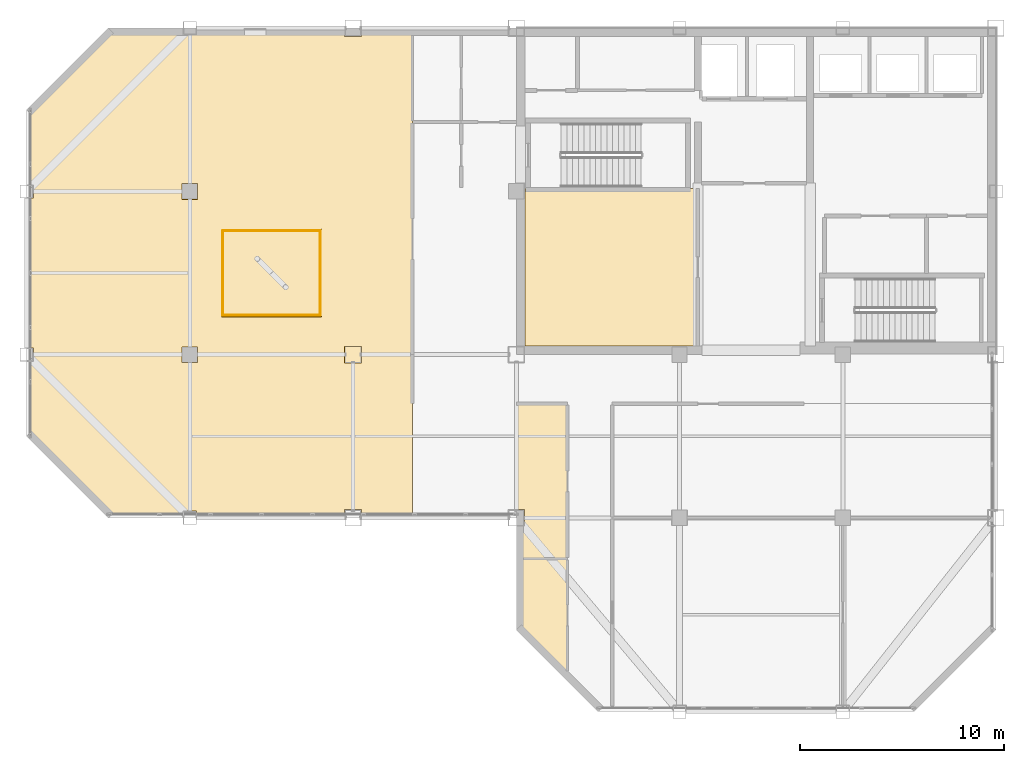
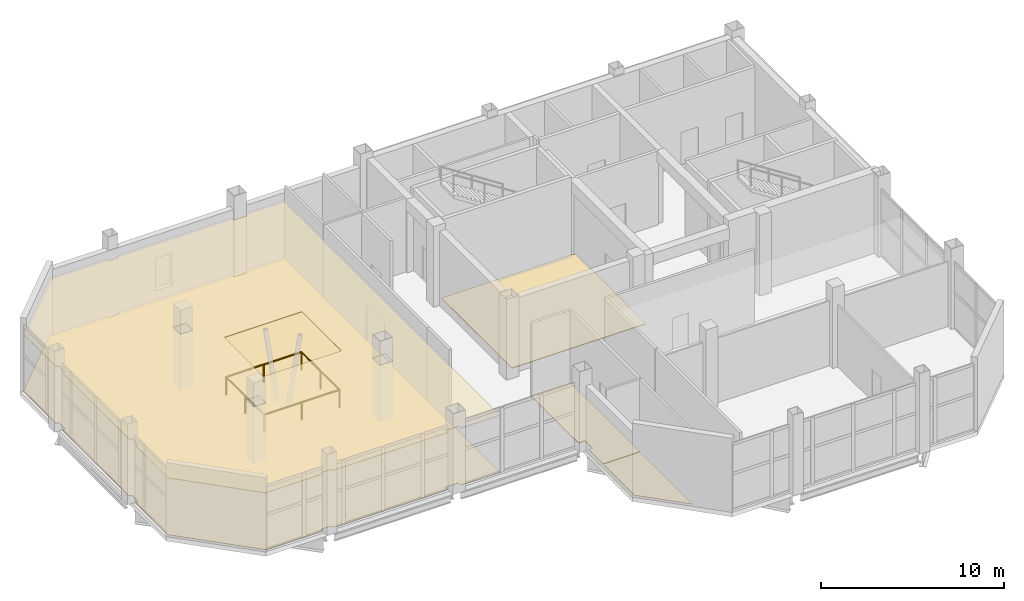
# One storey, part 14 of 16: 5 coverings, 4 railings.
"""IFC4 building model written with IfcOpenShell, lengths in metres."""

from ifc_helpers import new_model, si_unit, direction, frame, origin, origin_2d, place, context, subcontext, project, spatial, polyline, circle, outline, extrude, material, layer, layer_set, type_object, element, save


model = new_model("IFC4")

# Units and contexts
model_context = context("Model", 3, precision=1e-05, world=origin(), true_north=direction((0.0, 1.0)))
body_context = subcontext(model_context, "Body", "Model", "MODEL_VIEW")
ifc_project = project(units=[si_unit("LENGTHUNIT", "METRE"), si_unit("AREAUNIT", "SQUARE_METRE"), si_unit("VOLUMEUNIT", "CUBIC_METRE"), si_unit("PLANEANGLEUNIT", "RADIAN"), si_unit("MASSUNIT", "GRAM", prefix="KILO")], contexts=[model_context])

# Site, building, storey
site_placement = place(None, origin())
site = spatial("IfcSite", under=ifc_project, at=site_placement, CompositionType="ELEMENT")
building_placement = place(site_placement, origin())
building = spatial("IfcBuilding", under=site, at=building_placement, Name="Qianrong Seaharbour Tower", CompositionType="ELEMENT")
storey_placement = place(building_placement, frame((0.0, 0.0, 378.39990234375)))
storey = spatial("IfcBuildingStorey", under=building, at=storey_placement, Name="L91", CompositionType="ELEMENT", Elevation=378.39990234375)

# Coverings
ifc_material_1 = material(Name="Perforated acoustic gypsum ceiling board")
ifc_layer_1 = layer(ifc_material_1, 0.050048828125)
ifc_layer_set_1 = layer_set([ifc_layer_1], Name="Perforated acoustic gypsum ceiling board")
covering_type_1 = type_object("IfcCoveringType", Name="COV-CEIL-GYPSUM-50", PredefinedType="CEILING", material=ifc_layer_set_1)
covering_1_placement = place(storey_placement, frame((0.0, 0.0, 3.780029296875)))
element("IfcCovering", 1, at=covering_1_placement, inside=storey, type_object=covering_type_1, Name="L91 Observatory Gallery Acoustic Ceiling", PredefinedType="CEILING", context=body_context, shape_type="SweptSolid", body=[
    extrude(outline(polyline([(16.675048828125, 32.072509765625), (16.675048828125, 35.6650390625), (16.8349609375, 35.6650390625), (16.8349609375, 36.3349609375), (16.675048828125, 36.3349609375), (16.675048828125, 43.6650390625), (16.8349609375, 43.6650390625), (16.8349609375, 44.3349609375), (16.675048828125, 44.3349609375), (16.675048828125, 47.927490234375), (20.572509765625, 51.824951171875), (24.1650390625, 51.824951171875), (24.1650390625, 51.6650390625), (24.8349609375, 51.6650390625), (24.8349609375, 51.824951171875), (32.090087890625, 51.824951171875), (32.090087890625, 51.590087890625), (32.909912109375, 51.590087890625), (32.909912109375, 51.824951171875), (35.39990234375, 51.824951171875), (35.39990234375, 28.175048828125), (32.909912109375, 28.175048828125), (32.909912109375, 28.409912109375), (32.090087890625, 28.409912109375), (32.090087890625, 28.175048828125), (24.8349609375, 28.175048828125), (24.8349609375, 28.3349609375), (24.1650390625, 28.3349609375), (24.1650390625, 28.175048828125), (20.572509765625, 28.175048828125), (16.675048828125, 32.072509765625)]), holes=[polyline([(32.909912109375, 35.590087890625), (32.909912109375, 36.409912109375), (32.090087890625, 36.409912109375), (32.090087890625, 35.590087890625), (32.909912109375, 35.590087890625)]), polyline([(26.050048828125, 37.85009765625), (30.949951171875, 37.85009765625), (30.949951171875, 42.14990234375), (26.050048828125, 42.14990234375), (26.050048828125, 37.85009765625)]), polyline([(24.885009765625, 35.614990234375), (24.885009765625, 36.385009765625), (24.114990234375, 36.385009765625), (24.114990234375, 35.614990234375), (24.885009765625, 35.614990234375)]), polyline([(24.885009765625, 43.614990234375), (24.885009765625, 44.385009765625), (24.114990234375, 44.385009765625), (24.114990234375, 43.614990234375), (24.885009765625, 43.614990234375)])]), origin(), (0.0, 0.0, 1.0), 0.050048828125),
])
ifc_material_2 = material(Name="Acoustic modular carpet tile flooring")
ifc_layer_2 = layer(ifc_material_2, 0.02001953125)
ifc_layer_set_2 = layer_set([ifc_layer_2], Name="Acoustic modular carpet tile flooring")
covering_type_2 = type_object("IfcCoveringType", Name="COV-FLOOR-CARPET-20", PredefinedType="FLOORING", material=ifc_layer_set_2)
covering_2_placement = place(storey_placement, origin())
element("IfcCovering", 2, at=covering_2_placement, inside=storey, type_object=covering_type_2, Name="L91 Observatory Gallery Finish Flooring", PredefinedType="FLOORING", context=body_context, shape_type="SweptSolid", body=[
    extrude(outline(polyline([(16.675048828125, 32.072509765625), (16.675048828125, 35.6650390625), (16.8349609375, 35.6650390625), (16.8349609375, 36.3349609375), (16.675048828125, 36.3349609375), (16.675048828125, 43.6650390625), (16.8349609375, 43.6650390625), (16.8349609375, 44.3349609375), (16.675048828125, 44.3349609375), (16.675048828125, 47.927490234375), (20.572509765625, 51.824951171875), (24.1650390625, 51.824951171875), (24.1650390625, 51.6650390625), (24.8349609375, 51.6650390625), (24.8349609375, 51.824951171875), (32.090087890625, 51.824951171875), (32.090087890625, 51.590087890625), (32.909912109375, 51.590087890625), (32.909912109375, 51.824951171875), (35.39990234375, 51.824951171875), (35.39990234375, 28.175048828125), (32.909912109375, 28.175048828125), (32.909912109375, 28.409912109375), (32.090087890625, 28.409912109375), (32.090087890625, 28.175048828125), (24.8349609375, 28.175048828125), (24.8349609375, 28.3349609375), (24.1650390625, 28.3349609375), (24.1650390625, 28.175048828125), (20.572509765625, 28.175048828125), (16.675048828125, 32.072509765625)])), origin(), (0.0, 0.0, 1.0), 0.02001953125),
])
covering_3_placement = place(storey_placement, origin())
element("IfcCovering", 3, at=covering_3_placement, inside=storey, type_object=covering_type_2, Name="L91 Wet Pantry Finish Flooring", PredefinedType="FLOORING", context=body_context, shape_type="SweptSolid", body=[
    extrude(outline(polyline([(40.675048828125, 22.572509765625), (40.675048828125, 26.0), (43.0, 26.0), (43.0, 20.24755859375), (40.675048828125, 22.572509765625)])), origin(), (0.0, 0.0, 1.0), 0.02001953125),
])
ifc_material_3 = material(Name="Calcium-sulphate raised access floor tile")
ifc_layer_3 = layer(ifc_material_3, 0.044921875)
ifc_layer_set_3 = layer_set([ifc_layer_3], Name="Calcium-sulphate raised access floor tile")
covering_type_3 = type_object("IfcCoveringType", Name="COV-FLOOR-RAISED-45", PredefinedType="FLOORING", material=ifc_layer_set_3)
covering_4_placement = place(storey_placement, origin())
element("IfcCovering", 4, at=covering_4_placement, inside=storey, type_object=covering_type_3, Name="L91 Data Systems Office Finish Flooring", PredefinedType="FLOORING", context=body_context, shape_type="SweptSolid", body=[
    extrude(outline(polyline([(49.39990234375, 44.14990234375), (49.39990234375, 36.419921875), (40.919921875, 36.419921875), (40.919921875, 44.14990234375), (49.39990234375, 44.14990234375)])), origin(), (0.0, 0.0, 1.0), 0.045166015625),
])
covering_5_placement = place(storey_placement, origin())
element("IfcCovering", 5, at=covering_5_placement, inside=storey, type_object=covering_type_3, Name="L91 Executive Office Finish Flooring", PredefinedType="FLOORING", context=body_context, shape_type="SweptSolid", body=[
    extrude(outline(polyline([(43.0, 26.0), (40.675048828125, 26.0), (40.675048828125, 27.590087890625), (40.909912109375, 27.590087890625), (40.909912109375, 28.409912109375), (40.5, 28.409912109375), (40.5, 33.60009765625), (43.0, 33.60009765625), (43.0, 26.0)])), origin(), (0.0, 0.0, 1.0), 0.045166015625),
])

# Railings
ifc_material_4 = material(Name="Laminated safety glass and stainless steel SUS316L balustrade", Category="steel")
railing_type = type_object("IfcRailingType", Name="RAIL-ATRIUM-BALUSTRADE-1220", PredefinedType="BALUSTRADE", material=ifc_material_4)
for number, where, name in (
    (6, (26.1201171875, 42.080078125, 0.0), "L91 TMD Viewing Void Glass Balustrade N"),
    (7, (26.1201171875, 37.919921875, 0.0), "L91 TMD Viewing Void Glass Balustrade S"),
):
    element("IfcRailing", number, at=place(storey_placement, frame(where)), inside=storey, type_object=railing_type, Name=name, PredefinedType="BALUSTRADE", context=body_context, shape_type="SweptSolid", body=[
        extrude(circle(Radius=0.02392578125, at=origin_2d()), frame((0.0, 0.0, 1.19580078125), z_axis=(1.0, 0.0, 0.0), x_axis=(0.0, 1.0, 0.0)), (0.0, 0.0, 1.0), 4.759765625),
        extrude(circle(Radius=0.02099609375, at=origin_2d()), origin(), (0.0, 0.0, 1.0), 1.171875),
        extrude(circle(Radius=0.02099609375, at=origin_2d()), frame((2.3798828125, 0.0, 0.0)), (0.0, 0.0, 1.0), 1.171875),
        extrude(circle(Radius=0.02099609375, at=origin_2d()), frame((4.759765625, 0.0, 0.0)), (0.0, 0.0, 1.0), 1.171875),
    ])
for number, where, name in (
    (8, (26.1201171875, 37.919921875, 0.0), "L91 TMD Viewing Void Glass Balustrade W"),
    (9, (30.8798828125, 37.919921875, 0.0), "L91 TMD Viewing Void Glass Balustrade E"),
):
    element("IfcRailing", number, at=place(storey_placement, frame(where)), inside=storey, type_object=railing_type, Name=name, PredefinedType="BALUSTRADE", context=body_context, shape_type="SweptSolid", body=[
        extrude(circle(Radius=0.02392578125, at=origin_2d()), frame((0.0, 0.0, 1.19580078125), z_axis=(0.0, 1.0, 0.0), x_axis=(-1.0, 0.0, 0.0)), (0.0, 0.0, 1.0), 4.16015625),
        extrude(circle(Radius=0.02099609375, at=origin_2d()), origin(), (0.0, 0.0, 1.0), 1.171875),
        extrude(circle(Radius=0.02099609375, at=origin_2d()), frame((0.0, 2.080078125, 0.0)), (0.0, 0.0, 1.0), 1.171875),
        extrude(circle(Radius=0.02099609375, at=origin_2d()), frame((0.0, 4.16015625, 0.0)), (0.0, 0.0, 1.0), 1.171875),
    ])

save(model, "model.ifc")
